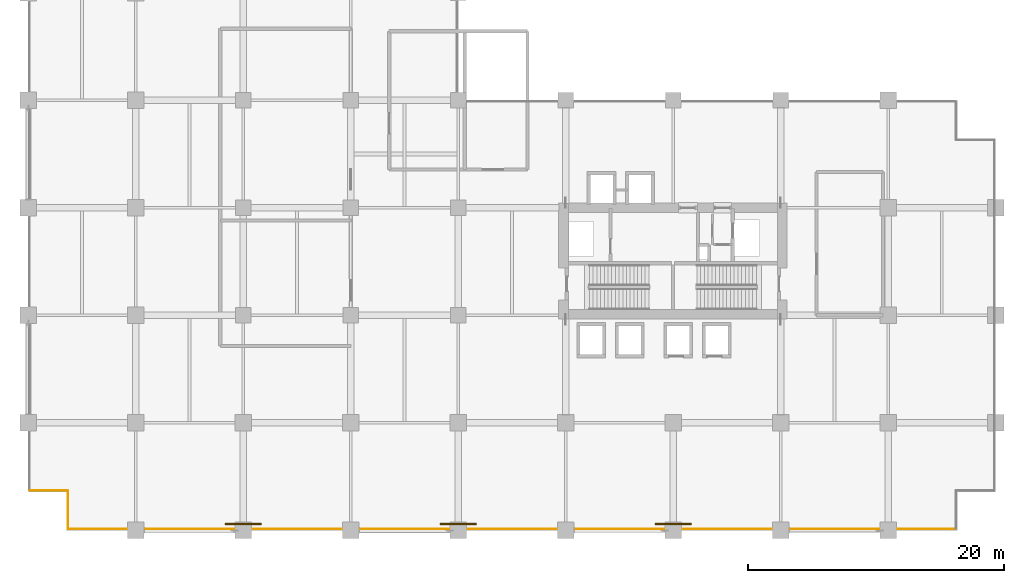
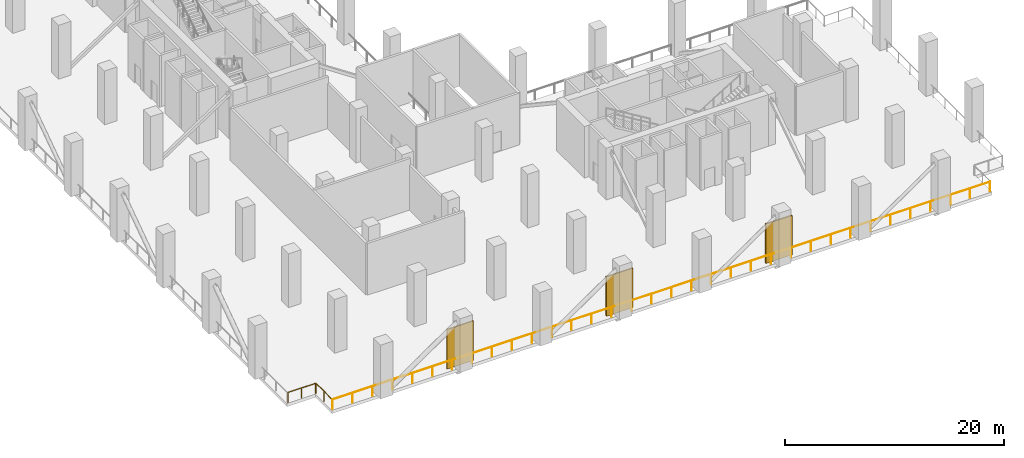
# One storey, part 15 of 19: 3 railings, 3 shading devices.
"""IFC4 building model written with IfcOpenShell, lengths in metres."""

from ifc_helpers import new_model, si_unit, direction, frame, origin, origin_2d, place, context, subcontext, project, spatial, rectangle, circle, extrude, material, layer, layer_set, type_object, element, save


model = new_model("IFC4")

# Units and contexts
model_context = context("Model", 3, precision=1e-05, world=origin(), true_north=direction((0.0, 1.0)))
body_context = subcontext(model_context, "Body", "Model", "MODEL_VIEW")
ifc_project = project(units=[si_unit("LENGTHUNIT", "METRE"), si_unit("AREAUNIT", "SQUARE_METRE"), si_unit("VOLUMEUNIT", "CUBIC_METRE"), si_unit("PLANEANGLEUNIT", "RADIAN"), si_unit("MASSUNIT", "GRAM", prefix="KILO")], contexts=[model_context])

# Site, building, storey
site_placement = place(None, origin())
site = spatial("IfcSite", under=ifc_project, at=site_placement, CompositionType="ELEMENT")
building_placement = place(site_placement, origin())
building = spatial("IfcBuilding", under=site, at=building_placement, Name="Koriwani Terraces Tower", CompositionType="ELEMENT")
storey_placement = place(building_placement, frame((0.0, 0.0, 94.0)))
storey = spatial("IfcBuildingStorey", under=building, at=storey_placement, Name="L22", CompositionType="ELEMENT", Elevation=94.0)

# Railings
ifc_material_1 = material(Name="Steel ASTM A572 Grade 50", Category="steel")
railing_type = type_object("IfcRailingType", Name="GUARD_BALUSTRADE_1150", PredefinedType="BALUSTRADE", material=ifc_material_1)
railing_1_placement = place(storey_placement, frame((3.10009765625, 0.135009765625, 0.0)))
element("IfcRailing", 1, at=railing_1_placement, inside=storey, type_object=railing_type, Name="L22 Open Wind Floor Perimeter Balustrade Segment 1", PredefinedType="BALUSTRADE", context=body_context, shape_type="SweptSolid", body=[
    extrude(circle(Radius=0.02490234375, at=origin_2d()), frame((0.0, 0.0, 1.125), z_axis=(0.0, 1.0, 0.0), x_axis=(-1.0, 0.0, 0.0)), (0.0, 0.0, 1.0), 2.929931640625),
    extrude(circle(Radius=0.0224609375, at=origin_2d()), origin(), (0.0, 0.0, 1.0), 1.099853515625),
    extrude(circle(Radius=0.0224609375, at=origin_2d()), frame((0.0, 1.46484375, 0.0)), (0.0, 0.0, 1.0), 1.099853515625),
    extrude(circle(Radius=0.0224609375, at=origin_2d()), frame((0.0, 2.929931640625, 0.0)), (0.0, 0.0, 1.0), 1.099853515625),
])
railing_2_placement = place(storey_placement, frame((3.06494140625, 3.10009765625, 0.0)))
element("IfcRailing", 2, at=railing_2_placement, inside=storey, type_object=railing_type, Name="L22 Open Wind Floor Perimeter Balustrade Segment 2", PredefinedType="BALUSTRADE", context=body_context, shape_type="SweptSolid", body=[
    extrude(circle(Radius=0.02490234375, at=origin_2d()), frame((0.0, 0.0, 1.125), z_axis=(-1.0, 0.0, 0.0), x_axis=(0.0, -1.0, 0.0)), (0.0, 0.0, 1.0), 2.929931640625),
    extrude(circle(Radius=0.0224609375, at=origin_2d()), origin(), (0.0, 0.0, 1.0), 1.099853515625),
    extrude(circle(Radius=0.0224609375, at=origin_2d()), frame((-1.46484375, 0.0, 0.0)), (0.0, 0.0, 1.0), 1.099853515625),
    extrude(circle(Radius=0.0224609375, at=origin_2d()), frame((-2.929931640625, 0.0, 0.0)), (0.0, 0.0, 1.0), 1.099853515625),
])
railing_3_placement = place(storey_placement, frame((72.465087890625, 0.10009765625, 0.0)))
element("IfcRailing", 3, at=railing_3_placement, inside=storey, type_object=railing_type, Name="L22 Open Wind Floor Perimeter Balustrade Segment 16", PredefinedType="BALUSTRADE", context=body_context, shape_type="SweptSolid", body=[
    extrude(circle(Radius=0.02490234375, at=origin_2d()), frame((0.0, 0.0, 1.125), z_axis=(-1.0, 0.0, 0.0), x_axis=(0.0, -1.0, 0.0)), (0.0, 0.0, 1.0), 69.330078125),
    extrude(circle(Radius=0.0224609375, at=origin_2d()), origin(), (0.0, 0.0, 1.0), 1.099853515625),
    extrude(circle(Radius=0.0224609375, at=origin_2d()), frame((-2.100830078125, 0.0, 0.0)), (0.0, 0.0, 1.0), 1.099853515625),
    extrude(circle(Radius=0.0224609375, at=origin_2d()), frame((-4.201904296875, 0.0, 0.0)), (0.0, 0.0, 1.0), 1.099853515625),
    extrude(circle(Radius=0.0224609375, at=origin_2d()), frame((-6.302734375, 0.0, 0.0)), (0.0, 0.0, 1.0), 1.099853515625),
    extrude(circle(Radius=0.0224609375, at=origin_2d()), frame((-8.403564453125, 0.0, 0.0)), (0.0, 0.0, 1.0), 1.099853515625),
    extrude(circle(Radius=0.0224609375, at=origin_2d()), frame((-10.504638671875, 0.0, 0.0)), (0.0, 0.0, 1.0), 1.099853515625),
    extrude(circle(Radius=0.0224609375, at=origin_2d()), frame((-12.60546875, 0.0, 0.0)), (0.0, 0.0, 1.0), 1.099853515625),
    extrude(circle(Radius=0.0224609375, at=origin_2d()), frame((-14.706298828125, 0.0, 0.0)), (0.0, 0.0, 1.0), 1.099853515625),
    extrude(circle(Radius=0.0224609375, at=origin_2d()), frame((-16.807373046875, 0.0, 0.0)), (0.0, 0.0, 1.0), 1.099853515625),
    extrude(circle(Radius=0.0224609375, at=origin_2d()), frame((-18.908203125, 0.0, 0.0)), (0.0, 0.0, 1.0), 1.099853515625),
    extrude(circle(Radius=0.0224609375, at=origin_2d()), frame((-21.009033203125, 0.0, 0.0)), (0.0, 0.0, 1.0), 1.099853515625),
    extrude(circle(Radius=0.0224609375, at=origin_2d()), frame((-23.110107421875, 0.0, 0.0)), (0.0, 0.0, 1.0), 1.099853515625),
    extrude(circle(Radius=0.0224609375, at=origin_2d()), frame((-25.2109375, 0.0, 0.0)), (0.0, 0.0, 1.0), 1.099853515625),
    extrude(circle(Radius=0.0224609375, at=origin_2d()), frame((-27.311767578125, 0.0, 0.0)), (0.0, 0.0, 1.0), 1.099853515625),
    extrude(circle(Radius=0.0224609375, at=origin_2d()), frame((-29.412841796875, 0.0, 0.0)), (0.0, 0.0, 1.0), 1.099853515625),
    extrude(circle(Radius=0.0224609375, at=origin_2d()), frame((-31.513671875, 0.0, 0.0)), (0.0, 0.0, 1.0), 1.099853515625),
    extrude(circle(Radius=0.0224609375, at=origin_2d()), frame((-33.614501953125, 0.0, 0.0)), (0.0, 0.0, 1.0), 1.099853515625),
    extrude(circle(Radius=0.0224609375, at=origin_2d()), frame((-35.715576171875, 0.0, 0.0)), (0.0, 0.0, 1.0), 1.099853515625),
    extrude(circle(Radius=0.0224609375, at=origin_2d()), frame((-37.81640625, 0.0, 0.0)), (0.0, 0.0, 1.0), 1.099853515625),
    extrude(circle(Radius=0.0224609375, at=origin_2d()), frame((-39.917236328125, 0.0, 0.0)), (0.0, 0.0, 1.0), 1.099853515625),
    extrude(circle(Radius=0.0224609375, at=origin_2d()), frame((-42.018310546875, 0.0, 0.0)), (0.0, 0.0, 1.0), 1.099853515625),
    extrude(circle(Radius=0.0224609375, at=origin_2d()), frame((-44.119140625, 0.0, 0.0)), (0.0, 0.0, 1.0), 1.099853515625),
    extrude(circle(Radius=0.0224609375, at=origin_2d()), frame((-46.219970703125, 0.0, 0.0)), (0.0, 0.0, 1.0), 1.099853515625),
    extrude(circle(Radius=0.0224609375, at=origin_2d()), frame((-48.321044921875, 0.0, 0.0)), (0.0, 0.0, 1.0), 1.099853515625),
    extrude(circle(Radius=0.0224609375, at=origin_2d()), frame((-50.421875, 0.0, 0.0)), (0.0, 0.0, 1.0), 1.099853515625),
    extrude(circle(Radius=0.0224609375, at=origin_2d()), frame((-52.522705078125, 0.0, 0.0)), (0.0, 0.0, 1.0), 1.099853515625),
    extrude(circle(Radius=0.0224609375, at=origin_2d()), frame((-54.623779296875, 0.0, 0.0)), (0.0, 0.0, 1.0), 1.099853515625),
    extrude(circle(Radius=0.0224609375, at=origin_2d()), frame((-56.724609375, 0.0, 0.0)), (0.0, 0.0, 1.0), 1.099853515625),
    extrude(circle(Radius=0.0224609375, at=origin_2d()), frame((-58.825439453125, 0.0, 0.0)), (0.0, 0.0, 1.0), 1.099853515625),
    extrude(circle(Radius=0.0224609375, at=origin_2d()), frame((-60.926513671875, 0.0, 0.0)), (0.0, 0.0, 1.0), 1.099853515625),
    extrude(circle(Radius=0.0224609375, at=origin_2d()), frame((-63.02734375, 0.0, 0.0)), (0.0, 0.0, 1.0), 1.099853515625),
    extrude(circle(Radius=0.0224609375, at=origin_2d()), frame((-65.128173828125, 0.0, 0.0)), (0.0, 0.0, 1.0), 1.099853515625),
    extrude(circle(Radius=0.0224609375, at=origin_2d()), frame((-67.229248046875, 0.0, 0.0)), (0.0, 0.0, 1.0), 1.099853515625),
    extrude(circle(Radius=0.0224609375, at=origin_2d()), frame((-69.330078125, 0.0, 0.0)), (0.0, 0.0, 1.0), 1.099853515625),
])

# Shading devices
ifc_material_2 = material(Name="Extruded Terracotta Clay", Category="masonry")
ifc_layer = layer(ifc_material_2, 0.1201171875, Name="Extruded Terracotta Clay")
ifc_layer_set = layer_set([ifc_layer], Name="Extruded Terracotta Clay")
shading_device_type = type_object("IfcShadingDeviceType", Name="TERRACOTTA_BAGUETTE_SCREEN_2800", PredefinedType="USERDEFINED", material=ifc_layer_set)
for number, where, z_axis, x_axis, name in (
    (4, (16.800048828125, 0.5, 0.0), (0.0, 0.0, 1.0), (1.0, 0.0, 0.0), "L22 Aerodynamic Wind-Baffle Terracotta Screen 1"),
    (5, (33.60009765625, 0.5, 0.0), (0.0, 0.0, 1.0), (1.0, 0.0, 0.0), "L22 Aerodynamic Wind-Baffle Terracotta Screen 2"),
    (6, (50.39990234375, 0.5, 0.0), (0.0, 0.0, 1.0), (1.0, 0.0, 0.0), "L22 Aerodynamic Wind-Baffle Terracotta Screen 3"),
):
    element("IfcShadingDevice", number, at=place(storey_placement, frame(where, z_axis=z_axis, x_axis=x_axis)), inside=storey, type_object=shading_device_type, Name=name, ObjectType="BAGUETTE", PredefinedType="USERDEFINED", context=body_context, shape_type="SweptSolid", body=[
        extrude(rectangle(XDim=2.800048828125, YDim=0.139892578125, at=origin_2d()), origin(), (0.0, 0.0, 1.0), 4.39990234375),
    ])

save(model, "model.ifc")
